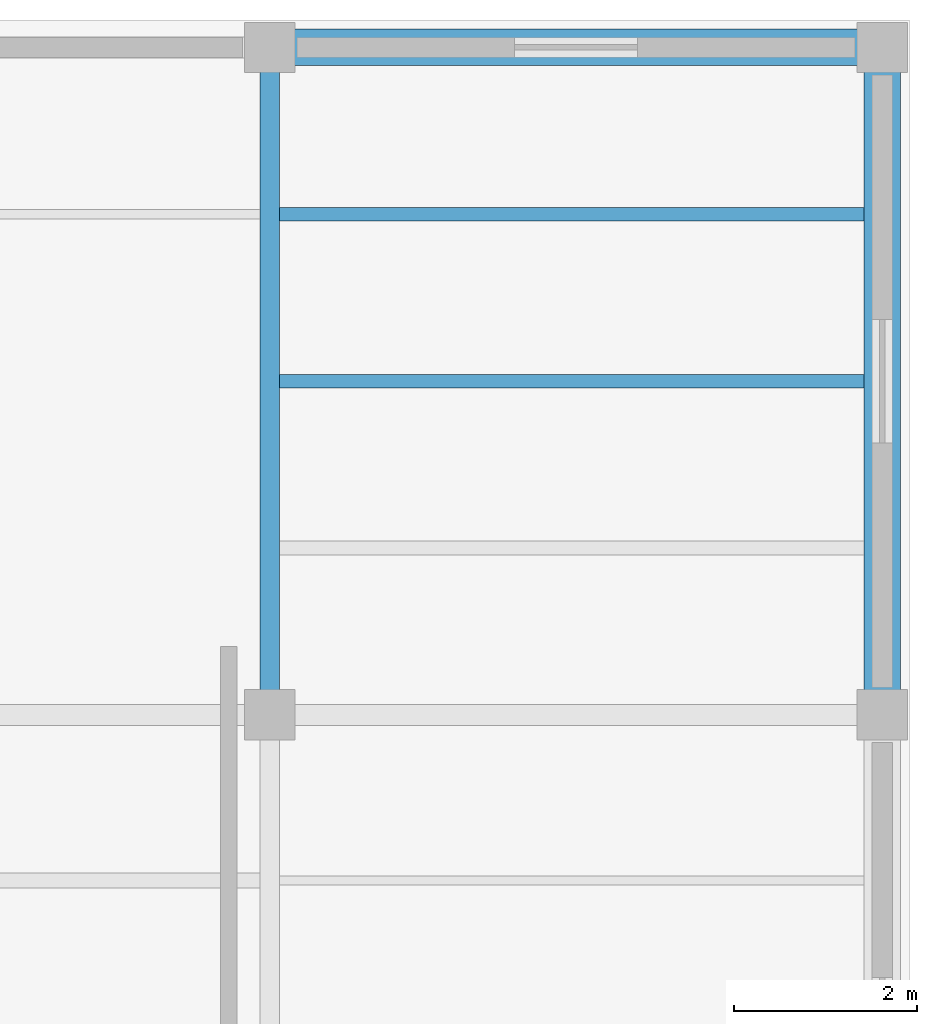
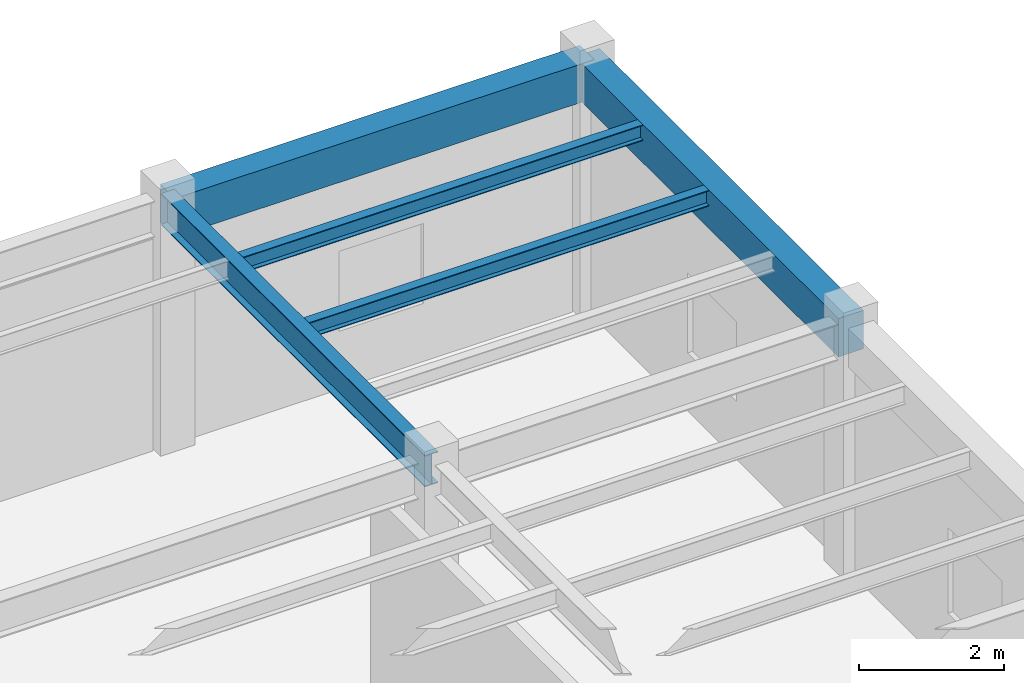
# One storey, part 48 of 85: 5 beams.
"""IFC4 building model written with IfcOpenShell, lengths in metres."""

from ifc_helpers import new_model, si_unit, direction, frame, origin, origin_2d, place, context, subcontext, project, spatial, rectangle, i_section, extrude, material, material_profile, profile_set, type_object, element, save


model = new_model("IFC4")

# Units and contexts
model_context = context("Model", 3, precision=1e-05, world=origin(), true_north=direction((0.0, 1.0)))
body_context = subcontext(model_context, "Body", "Model", "MODEL_VIEW")
ifc_project = project(units=[si_unit("LENGTHUNIT", "METRE"), si_unit("AREAUNIT", "SQUARE_METRE"), si_unit("VOLUMEUNIT", "CUBIC_METRE"), si_unit("PLANEANGLEUNIT", "RADIAN"), si_unit("MASSUNIT", "GRAM", prefix="KILO")], contexts=[model_context])

# Site, building, storey
site_placement = place(None, origin())
site = spatial("IfcSite", under=ifc_project, at=site_placement, CompositionType="ELEMENT")
building_placement = place(site_placement, origin())
building = spatial("IfcBuilding", under=site, at=building_placement, Name="Candilejo Ridge Gondola Terminal", CompositionType="ELEMENT")
storey_placement = place(building_placement, frame((0.0, 0.0, 4.5)))
storey = spatial("IfcBuildingStorey", under=building, at=storey_placement, Name="L01", CompositionType="ELEMENT", Elevation=4.5)

# Beams
ifc_material_1 = material(Name="Steel ASTM A992 Grade 50", Category="steel")
ifc_material_profile_1 = material_profile(ifc_material_1, i_section(OverallWidth=0.208984375, OverallDepth=0.532958984375, WebThickness=0.01025390625, FlangeThickness=0.015625, at=origin_2d()))
ifc_profile_set_1 = profile_set([ifc_material_profile_1], Name="Steel ASTM A992 Grade 50")
beam_type_1 = type_object("IfcBeamType", Name="STR-BM-W530X92", PredefinedType="BEAM", material=ifc_profile_set_1)
beam_1_placement = place(storey_placement, frame((168.60009765625, 113.550048828125, 3.948486328125), z_axis=(0.0, 1.0, 0.0), x_axis=(-1.0, 0.0, 0.0)))
element("IfcBeam", 1, at=beam_1_placement, inside=storey, type_object=beam_type_1, Name="Beam Y V5 L01 Y19-Y20@X25", PredefinedType="BEAM", context=body_context, shape_type="SweptSolid", body=[
    extrude(i_section(OverallWidth=0.208984375, OverallDepth=0.532958984375, WebThickness=0.01025390625, FlangeThickness=0.015625, at=origin_2d()), origin(), (0.0, 0.0, 1.0), 7.300048828125),
])
ifc_material_2 = material(Name="Steel ASTM A992 Grade 50", Category="steel")
ifc_material_profile_2 = material_profile(ifc_material_2, i_section(OverallWidth=0.14794921875, OverallDepth=0.26611328125, WebThickness=0.007568359375, FlangeThickness=0.012939453125, at=origin_2d()))
ifc_profile_set_2 = profile_set([ifc_material_profile_2], Name="Steel ASTM A992 Grade 50")
beam_type_2 = type_object("IfcBeamType", Name="STR-JST-W250X45", PredefinedType="JOIST", material=ifc_profile_set_2)
for number, where, z_axis, x_axis, name in (
    (2, (168.70458984375, 117.199951171875, 4.08203125), (1.0, 0.0, 0.0), (0.0, 1.0, 0.0), "Composite joist V5 L01-1252"),
    (3, (168.70458984375, 119.02490234375, 4.08203125), (1.0, 0.0, 0.0), (0.0, 1.0, 0.0), "Composite joist V5 L01-1253"),
):
    element("IfcBeam", number, at=place(storey_placement, frame(where, z_axis=z_axis, x_axis=x_axis)), inside=storey, type_object=beam_type_2, Name=name, PredefinedType="JOIST", context=body_context, shape_type="SweptSolid", body=[
        extrude(i_section(OverallWidth=0.14794921875, OverallDepth=0.26611328125, WebThickness=0.007568359375, FlangeThickness=0.012939453125, at=origin_2d()), origin(), (0.0, 0.0, 1.0), 6.3955078125),
    ])
ifc_material_3 = material(Name="Concrete f'c 35 MPa (C35/45)", Category="concrete")
ifc_material_profile_3 = material_profile(ifc_material_3, rectangle(XDim=0.39990234375, YDim=0.64990234375, at=origin_2d()))
ifc_profile_set_3 = profile_set([ifc_material_profile_3], Name="Concrete f'c 35 MPa (C35/45)")
beam_type_3 = type_object("IfcBeamType", Name="STR-SPN-RC400X650", PredefinedType="SPANDREL", material=ifc_profile_set_3)
beam_2_placement = place(storey_placement, frame((168.60009765625, 120.85009765625, 3.889892578125), z_axis=(1.0, 0.0, 0.0), x_axis=(0.0, 1.0, 0.0)))
element("IfcBeam", 4, at=beam_2_placement, inside=storey, type_object=beam_type_3, Name="Beam X V5 L01 X25-X27@Y20", PredefinedType="SPANDREL", context=body_context, shape_type="SweptSolid", body=[
    extrude(rectangle(XDim=0.39990234375, YDim=0.64990234375, at=origin_2d()), origin(), (0.0, 0.0, 1.0), 6.699951171875),
])
beam_3_placement = place(storey_placement, frame((175.300048828125, 113.550048828125, 3.889892578125), z_axis=(0.0, 1.0, 0.0), x_axis=(-1.0, 0.0, 0.0)))
element("IfcBeam", 5, at=beam_3_placement, inside=storey, type_object=beam_type_3, Name="Beam Y V5 L01 Y19-Y20@X27", PredefinedType="SPANDREL", context=body_context, shape_type="SweptSolid", body=[
    extrude(rectangle(XDim=0.39990234375, YDim=0.64990234375, at=origin_2d()), origin(), (0.0, 0.0, 1.0), 7.300048828125),
])

save(model, "model.ifc")
